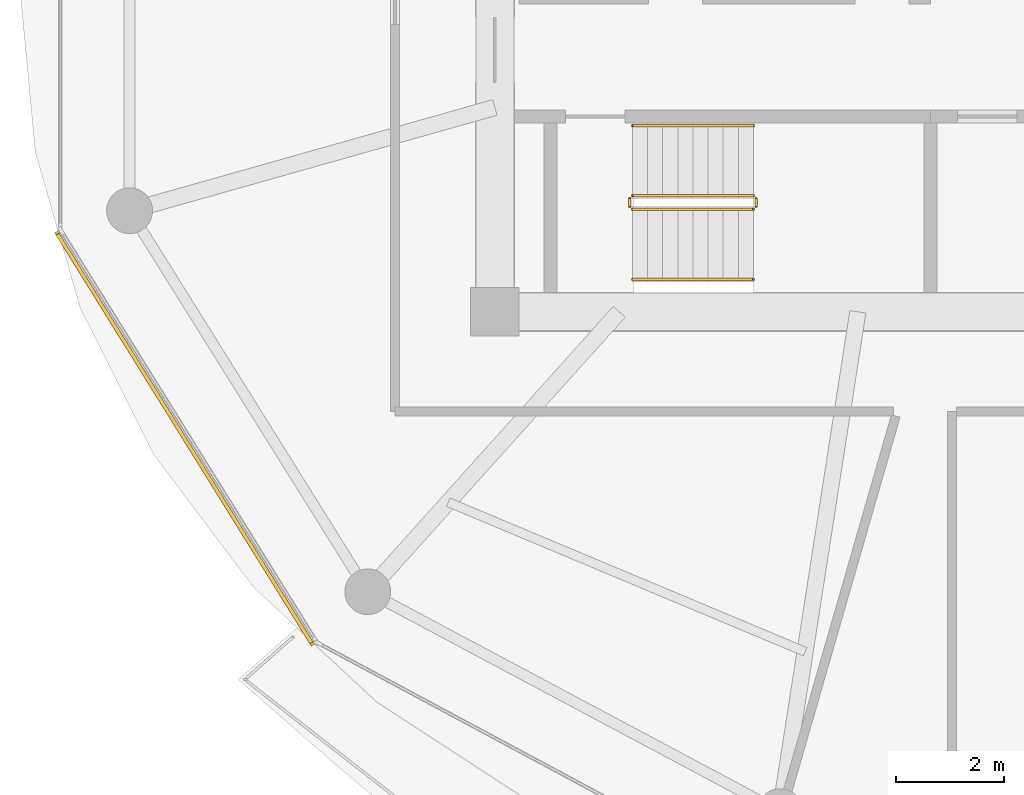
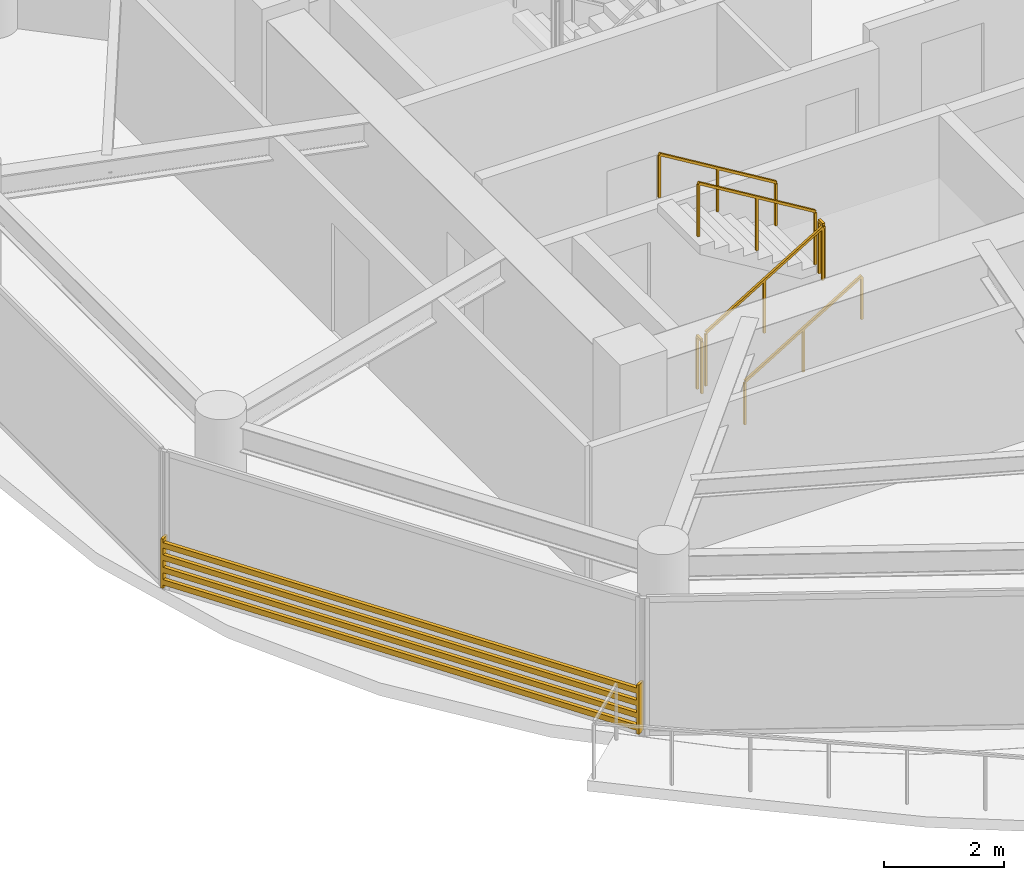
# One storey, part 19 of 24: 6 railings, 1 shading device.
"""IFC4 building model written with IfcOpenShell, lengths in metres."""

from ifc_helpers import new_model, si_unit, direction, frame, origin, origin_2d, place, context, subcontext, project, spatial, rectangle, extrude, source, transform, mapped, material, type_object, type_shapes, element, save


model = new_model("IFC4")

# Units and contexts
model_context = context("Model", 3, precision=1e-05, world=origin(), true_north=direction((0.0, 1.0)))
body_context = subcontext(model_context, "Body", "Model", "MODEL_VIEW")
ifc_project = project(units=[si_unit("LENGTHUNIT", "METRE"), si_unit("AREAUNIT", "SQUARE_METRE"), si_unit("VOLUMEUNIT", "CUBIC_METRE"), si_unit("PLANEANGLEUNIT", "RADIAN"), si_unit("MASSUNIT", "GRAM", prefix="KILO")], contexts=[model_context])

# Site, building, storey
site_placement = place(None, origin())
site = spatial("IfcSite", under=ifc_project, at=site_placement, CompositionType="ELEMENT")
building_placement = place(site_placement, origin())
building = spatial("IfcBuilding", under=site, at=building_placement, Name="Norrkilde Senior Care Towers", CompositionType="ELEMENT")
storey_placement = place(building_placement, frame((0.0, 0.0, 117.60009765625)))
storey = spatial("IfcBuildingStorey", under=building, at=storey_placement, Name="L36", CompositionType="ELEMENT", Elevation=117.60009765625)

# Railings
ifc_material_1 = material(Name="Stainless Steel", Category="steel")
railing_type_1 = type_object("IfcRailingType", Name="Stair and Terrace Guardrail 1100", PredefinedType="GUARDRAIL", material=ifc_material_1)
railing_1_placement = place(storey_placement, frame((-33.10009765625, -4.050048828125, 0.16943359375)))
element("IfcRailing", 1, at=railing_1_placement, inside=storey, type_object=railing_type_1, Name="L36 ST-W2 stair guard 1", PredefinedType="GUARDRAIL", context=body_context, shape_type="SweptSolid", body=[
    extrude(rectangle(XDim=0.048095703125, YDim=0.048095703125, at=origin_2d()), frame((0.0, 0.0, 1.076171875), z_axis=(0.855553338991, 0.0, 0.51771467445), x_axis=(0.0, 1.0, 0.0)), (0.0, 0.0, 1.0), 2.6181640625),
    extrude(rectangle(XDim=0.0419921875, YDim=0.0419921875, at=origin_2d()), origin(), (0.0, 0.0, 1.0), 1.050048828125),
    extrude(rectangle(XDim=0.0419921875, YDim=0.0419921875, at=origin_2d()), frame((1.1201171875, 0.0, 0.677734375)), (0.0, 0.0, 1.0), 1.050048828125),
    extrude(rectangle(XDim=0.0419921875, YDim=0.0419921875, at=origin_2d()), frame((2.239990234375, 0.0, 1.35546875)), (0.0, 0.0, 1.0), 1.050048828125),
])
railing_2_placement = place(storey_placement, frame((-30.81005859375, -4.0, 1.52490234375)))
element("IfcRailing", 2, at=railing_2_placement, inside=storey, type_object=railing_type_1, Name="L36 ST-W2 stair guard 2", PredefinedType="GUARDRAIL", context=body_context, shape_type="SweptSolid", body=[
    extrude(rectangle(XDim=0.048095703125, YDim=0.048095703125, at=origin_2d()), frame((0.0, 0.0, 1.076171875), z_axis=(0.0, 1.0, 0.0), x_axis=(-1.0, 0.0, 0.0)), (0.0, 0.0, 1.0), 0.14990234375),
    extrude(rectangle(XDim=0.0419921875, YDim=0.0419921875, at=origin_2d()), origin(), (0.0, 0.0, 1.0), 1.050048828125),
    extrude(rectangle(XDim=0.0419921875, YDim=0.0419921875, at=origin_2d()), frame((0.0, 0.14990234375, 0.0)), (0.0, 0.0, 1.0), 1.050048828125),
])
railing_3_placement = place(storey_placement, frame((-30.860107421875, -3.800048828125, 1.6943359375)))
element("IfcRailing", 3, at=railing_3_placement, inside=storey, type_object=railing_type_1, Name="L36 ST-W2 stair guard 3", PredefinedType="GUARDRAIL", context=body_context, shape_type="SweptSolid", body=[
    extrude(rectangle(XDim=0.048095703125, YDim=0.048095703125, at=origin_2d()), frame((0.0, 0.0, 1.076171875), z_axis=(-0.855553338991, 0.0, 0.51771467445), x_axis=(0.0, -1.0, 0.0)), (0.0, 0.0, 1.0), 2.6181640625),
    extrude(rectangle(XDim=0.0419921875, YDim=0.0419921875, at=origin_2d()), origin(), (0.0, 0.0, 1.0), 1.050048828125),
    extrude(rectangle(XDim=0.0419921875, YDim=0.0419921875, at=origin_2d()), frame((-1.1201171875, 0.0, 0.677734375)), (0.0, 0.0, 1.0), 1.050048828125),
    extrude(rectangle(XDim=0.0419921875, YDim=0.0419921875, at=origin_2d()), frame((-2.239990234375, 0.0, 1.35546875)), (0.0, 0.0, 1.0), 1.050048828125),
])
railing_4_placement = place(storey_placement, frame((-33.14990234375, -4.0, 0.0)))
element("IfcRailing", 4, at=railing_4_placement, inside=storey, type_object=railing_type_1, Name="L36 ST-W2 stair guard 4", PredefinedType="GUARDRAIL", context=body_context, shape_type="SweptSolid", body=[
    extrude(rectangle(XDim=0.048095703125, YDim=0.048095703125, at=origin_2d()), frame((0.0, 0.0, 1.076171875), z_axis=(0.0, 1.0, 0.0), x_axis=(-1.0, 0.0, 0.0)), (0.0, 0.0, 1.0), 0.14990234375),
    extrude(rectangle(XDim=0.0419921875, YDim=0.0419921875, at=origin_2d()), origin(), (0.0, 0.0, 1.0), 1.050048828125),
    extrude(rectangle(XDim=0.0419921875, YDim=0.0419921875, at=origin_2d()), frame((0.0, 0.14990234375, 0.0)), (0.0, 0.0, 1.0), 1.050048828125),
])
ifc_material_2 = material(Name="Nordic Ash Timber", Category="wood")
railing_type_2 = type_object("IfcRailingType", Name="Wall and Stair Handrail 900", PredefinedType="HANDRAIL", material=ifc_material_2)
railing_5_placement = place(storey_placement, frame((-33.10009765625, -5.35009765625, 0.16943359375)))
element("IfcRailing", 5, at=railing_5_placement, inside=storey, type_object=railing_type_2, Name="L36 ST-W2 stair handrail 1", PredefinedType="HANDRAIL", context=body_context, shape_type="SweptSolid", body=[
    extrude(rectangle(XDim=0.048095703125, YDim=0.048095703125, at=origin_2d()), frame((0.0, 0.0, 0.8759765625), z_axis=(0.855553338991, 0.0, 0.51771467445), x_axis=(0.0, 1.0, 0.0)), (0.0, 0.0, 1.0), 2.6181640625),
    extrude(rectangle(XDim=0.0419921875, YDim=0.0419921875, at=origin_2d()), origin(), (0.0, 0.0, 1.0), 0.849853515625),
    extrude(rectangle(XDim=0.0419921875, YDim=0.0419921875, at=origin_2d()), frame((1.1201171875, 0.0, 0.677734375)), (0.0, 0.0, 1.0), 0.849853515625),
    extrude(rectangle(XDim=0.0419921875, YDim=0.0419921875, at=origin_2d()), frame((2.239990234375, 0.0, 1.35546875)), (0.0, 0.0, 1.0), 0.849853515625),
])
railing_6_placement = place(storey_placement, frame((-30.860107421875, -2.5, 1.6943359375)))
element("IfcRailing", 6, at=railing_6_placement, inside=storey, type_object=railing_type_2, Name="L36 ST-W2 stair handrail 2", PredefinedType="HANDRAIL", context=body_context, shape_type="SweptSolid", body=[
    extrude(rectangle(XDim=0.048095703125, YDim=0.048095703125, at=origin_2d()), frame((0.0, 0.0, 0.8759765625), z_axis=(-0.855553338991, 0.0, 0.51771467445), x_axis=(0.0, -1.0, 0.0)), (0.0, 0.0, 1.0), 2.6181640625),
    extrude(rectangle(XDim=0.0419921875, YDim=0.0419921875, at=origin_2d()), origin(), (0.0, 0.0, 1.0), 0.849853515625),
    extrude(rectangle(XDim=0.0419921875, YDim=0.0419921875, at=origin_2d()), frame((-1.1201171875, 0.0, 0.677734375)), (0.0, 0.0, 1.0), 0.849853515625),
    extrude(rectangle(XDim=0.0419921875, YDim=0.0419921875, at=origin_2d()), frame((-2.239990234375, 0.0, 1.35546875)), (0.0, 0.0, 1.0), 0.849853515625),
])

# Shading device
ifc_material_3 = material(Name="Architectural Terracotta", Category="masonry")
shading_device_type = type_object("IfcShadingDeviceType", Name="Horizontal Terracotta Baguette Rack", PredefinedType="USERDEFINED", material=ifc_material_3)
shared_shape = source(origin(), body_context, "Body", "SweptSolid", [
    extrude(rectangle(XDim=0.070068359375, YDim=0.110107421875, at=origin_2d()), frame((0.0, 0.090087890625, 0.125), z_axis=(1.0, 0.0, 0.0), x_axis=(0.0, 1.0, 0.0)), (0.0, 0.0, 1.0), 9.01416015625),
    extrude(rectangle(XDim=0.070068359375, YDim=0.110107421875, at=origin_2d()), frame((0.0, 0.090087890625, 0.375), z_axis=(1.0, 0.0, 0.0), x_axis=(0.0, 1.0, 0.0)), (0.0, 0.0, 1.0), 9.01416015625),
    extrude(rectangle(XDim=0.070068359375, YDim=0.110107421875, at=origin_2d()), frame((0.0, 0.090087890625, 0.625), z_axis=(1.0, 0.0, 0.0), x_axis=(0.0, 1.0, 0.0)), (0.0, 0.0, 1.0), 9.01416015625),
    extrude(rectangle(XDim=0.070068359375, YDim=0.110107421875, at=origin_2d()), frame((0.0, 0.090087890625, 0.875), z_axis=(1.0, 0.0, 0.0), x_axis=(0.0, 1.0, 0.0)), (0.0, 0.0, 1.0), 9.01416015625),
    extrude(rectangle(XDim=0.050048828125, YDim=0.1552734375, at=origin_2d()), frame((0.02490234375, 0.047607421875, 0.0)), (0.0, 0.0, 1.0), 1.0),
    extrude(rectangle(XDim=0.050048828125, YDim=0.1552734375, at=origin_2d()), frame((8.9892578125, 0.047607421875, 0.0)), (0.0, 0.0, 1.0), 1.0),
])
type_shapes(shading_device_type, [shared_shape])
shading_device_placement = place(storey_placement, frame((-38.946533203125, -12.077392578125, 0.079833984375), z_axis=(0.0, 0.0, 1.0), x_axis=(-0.527734142246, 0.849412274525, 0.0)))
element("IfcShadingDevice", 7, at=shading_device_placement, inside=storey, type_object=shading_device_type, Name="L36 Drum W Terracotta Baguette Screen 06", ObjectType="BAGUETTE", PredefinedType="USERDEFINED", context=body_context, shape_type="MappedRepresentation", body=[
    mapped(shared_shape, transform((0.0, 0.0, 0.0), x_axis=(1.0, 0.0, 0.0), y_axis=(0.0, 1.0, 0.0), z_axis=(0.0, 0.0, 1.0), scale=1.0)),
])

save(model, "model.ifc")
